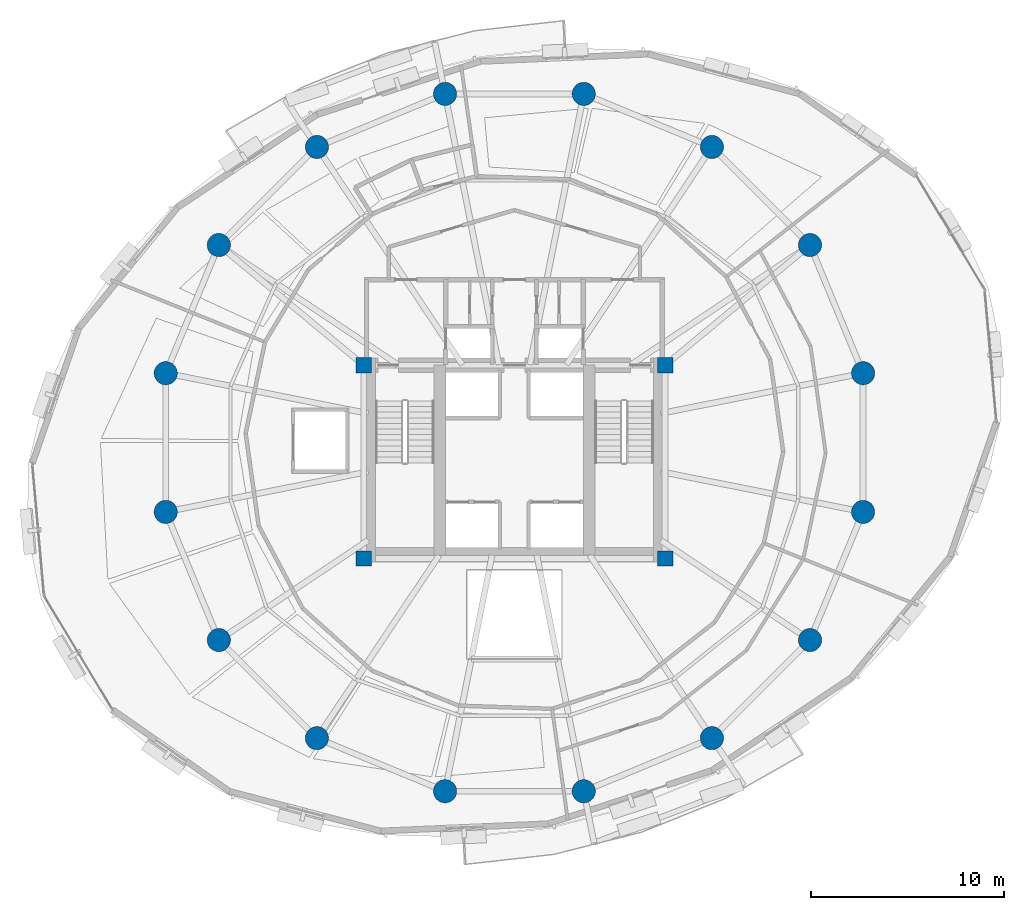
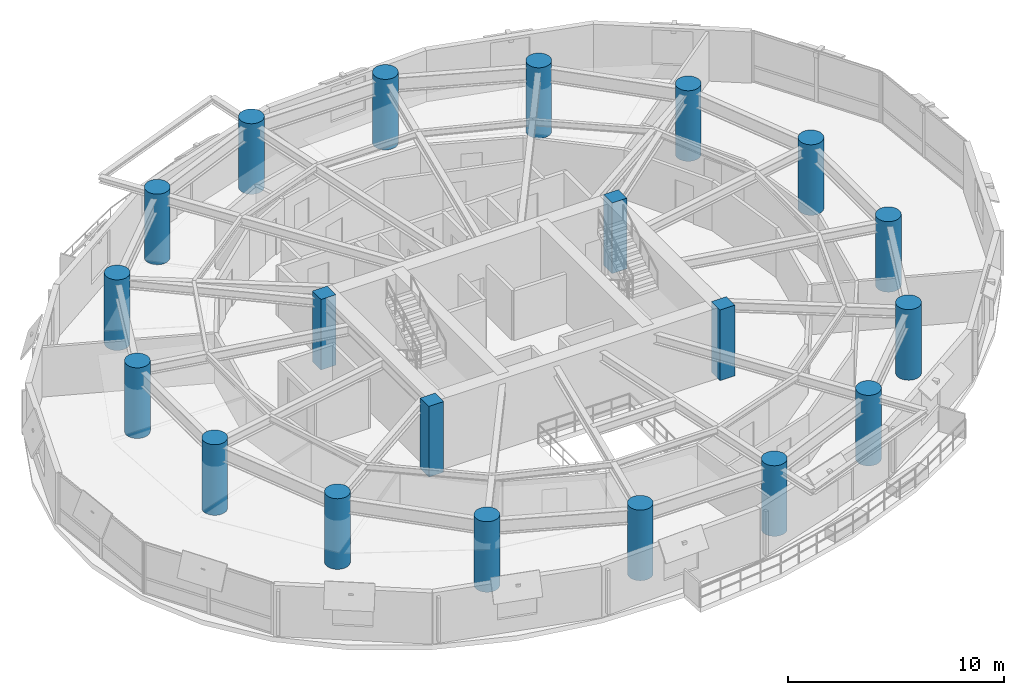
# One storey, part 1 of 15: 20 columns.
"""IFC4 building model written with IfcOpenShell, lengths in metres."""

from ifc_helpers import new_model, si_unit, direction, frame, origin, origin_2d, place, context, subcontext, project, spatial, rectangle, circle, extrude, material, material_profile, profile_set, type_object, element, save


model = new_model("IFC4")

# Units and contexts
model_context = context("Model", 3, precision=1e-05, world=origin(), true_north=direction((0.0, 1.0)))
body_context = subcontext(model_context, "Body", "Model", "MODEL_VIEW")
ifc_project = project(units=[si_unit("LENGTHUNIT", "METRE"), si_unit("AREAUNIT", "SQUARE_METRE"), si_unit("VOLUMEUNIT", "CUBIC_METRE"), si_unit("PLANEANGLEUNIT", "RADIAN"), si_unit("MASSUNIT", "GRAM", prefix="KILO"), si_unit("THERMODYNAMICTEMPERATUREUNIT", "KELVIN"), si_unit("POWERUNIT", "WATT")], contexts=[model_context])

# Site, building, storey
site_placement = place(None, origin())
site = spatial("IfcSite", under=ifc_project, at=site_placement, CompositionType="ELEMENT")
building_placement = place(site_placement, origin())
building = spatial("IfcBuilding", under=site, at=building_placement, Name="Ocrelia Relay Tower", CompositionType="ELEMENT")
storey_placement = place(building_placement, frame((0.0, 0.0, 109.800048828125)))
storey = spatial("IfcBuildingStorey", under=building, at=storey_placement, Name="L25", CompositionType="ELEMENT", Elevation=109.800048828125)

# Columns
ifc_material = material(Name="Concrete C60/75", Category="concrete")
ifc_material_profile_1 = material_profile(ifc_material, circle(Radius=0.60009765625, at=origin_2d()), Name="RC-CIR-1200")
ifc_profile_set_1 = profile_set([ifc_material_profile_1], Name="Concrete C60/75")
column_type_1 = type_object("IfcColumnType", Name="COL-CT-1200", PredefinedType="COLUMN", material=ifc_profile_set_1)
for number, where, z_axis, x_axis, name in (
    (1, (52.04638671875, 29.589599609375, 0.0), (0.0, 0.0, 1.0), (1.0, 0.0, 0.0), "L25 Perimeter Ring Column C01"),
    (2, (49.299072265625, 36.222412109375, 0.0), (0.0, 0.0, 1.0), (1.0, 0.0, 0.0), "L25 Perimeter Ring Column C02"),
    (3, (44.222412109375, 41.299072265625, 0.0), (0.0, 0.0, 1.0), (1.0, 0.0, 0.0), "L25 Perimeter Ring Column C03"),
    (4, (37.589599609375, 44.04638671875, 0.0), (0.0, 0.0, 1.0), (1.0, 0.0, 0.0), "L25 Perimeter Ring Column C04"),
    (5, (30.410400390625, 44.04638671875, 0.0), (0.0, 0.0, 1.0), (1.0, 0.0, 0.0), "L25 Perimeter Ring Column C05"),
    (6, (23.777587890625, 41.299072265625, 0.0), (0.0, 0.0, 1.0), (1.0, 0.0, 0.0), "L25 Perimeter Ring Column C06"),
    (7, (18.700927734375, 36.222412109375, 0.0), (0.0, 0.0, 1.0), (1.0, 0.0, 0.0), "L25 Perimeter Ring Column C07"),
    (8, (15.95361328125, 29.589599609375, 0.0), (0.0, 0.0, 1.0), (1.0, 0.0, 0.0), "L25 Perimeter Ring Column C08"),
    (9, (15.95361328125, 22.410400390625, 0.0), (0.0, 0.0, 1.0), (1.0, 0.0, 0.0), "L25 Perimeter Ring Column C09"),
    (10, (18.700927734375, 15.777587890625, 0.0), (0.0, 0.0, 1.0), (1.0, 0.0, 0.0), "L25 Perimeter Ring Column C10"),
    (11, (23.777587890625, 10.700927734375, 0.0), (0.0, 0.0, 1.0), (1.0, 0.0, 0.0), "L25 Perimeter Ring Column C11"),
    (12, (30.410400390625, 7.95361328125, 0.0), (0.0, 0.0, 1.0), (1.0, 0.0, 0.0), "L25 Perimeter Ring Column C12"),
    (13, (37.589599609375, 7.95361328125, 0.0), (0.0, 0.0, 1.0), (1.0, 0.0, 0.0), "L25 Perimeter Ring Column C13"),
    (14, (44.222412109375, 10.700927734375, 0.0), (0.0, 0.0, 1.0), (1.0, 0.0, 0.0), "L25 Perimeter Ring Column C14"),
    (15, (49.299072265625, 15.777587890625, 0.0), (0.0, 0.0, 1.0), (1.0, 0.0, 0.0), "L25 Perimeter Ring Column C15"),
    (16, (52.04638671875, 22.410400390625, 0.0), (0.0, 0.0, 1.0), (1.0, 0.0, 0.0), "L25 Perimeter Ring Column C16"),
):
    element("IfcColumn", number, at=place(storey_placement, frame(where, z_axis=z_axis, x_axis=x_axis)), inside=storey, type_object=column_type_1, Name=name, PredefinedType="COLUMN", context=body_context, shape_type="SweptSolid", body=[
        extrude(circle(Radius=0.60009765625, at=origin_2d()), origin(), (0.0, 0.0, 1.0), 4.0),
    ])
ifc_material_profile_2 = material_profile(ifc_material, rectangle(XDim=0.800048828125, YDim=0.800048828125, at=origin_2d()), Name="RC-COL-800x800")
ifc_profile_set_2 = profile_set([ifc_material_profile_2], Name="Concrete C60/75")
column_type_2 = type_object("IfcColumnType", Name="COL-PILASTER-800", PredefinedType="PILASTER", material=ifc_profile_set_2)
for number, where, z_axis, x_axis, name in (
    (17, (26.199951171875, 20.0, 0.0), (0.0, 0.0, 1.0), (1.0, 0.0, 0.0), "L25 Core Corner Pilaster SW"),
    (18, (41.800048828125, 20.0, 0.0), (0.0, 0.0, 1.0), (1.0, 0.0, 0.0), "L25 Core Corner Pilaster SE"),
    (19, (26.199951171875, 30.0, 0.0), (0.0, 0.0, 1.0), (1.0, 0.0, 0.0), "L25 Core Corner Pilaster NW"),
    (20, (41.800048828125, 30.0, 0.0), (0.0, 0.0, 1.0), (1.0, 0.0, 0.0), "L25 Core Corner Pilaster NE"),
):
    element("IfcColumn", number, at=place(storey_placement, frame(where, z_axis=z_axis, x_axis=x_axis)), inside=storey, type_object=column_type_2, Name=name, PredefinedType="PILASTER", context=body_context, shape_type="SweptSolid", body=[
        extrude(rectangle(XDim=0.800048828125, YDim=0.800048828125, at=origin_2d()), origin(), (0.0, 0.0, 1.0), 4.0),
    ])

save(model, "model.ifc")
